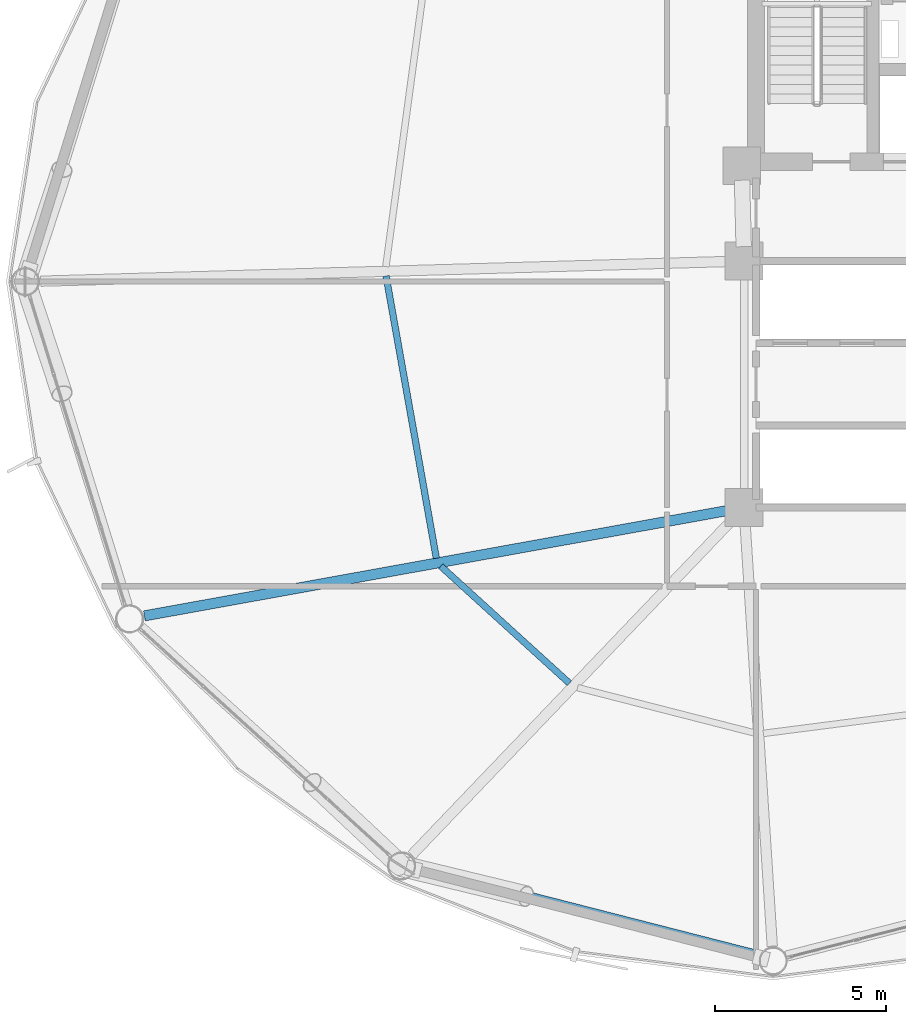
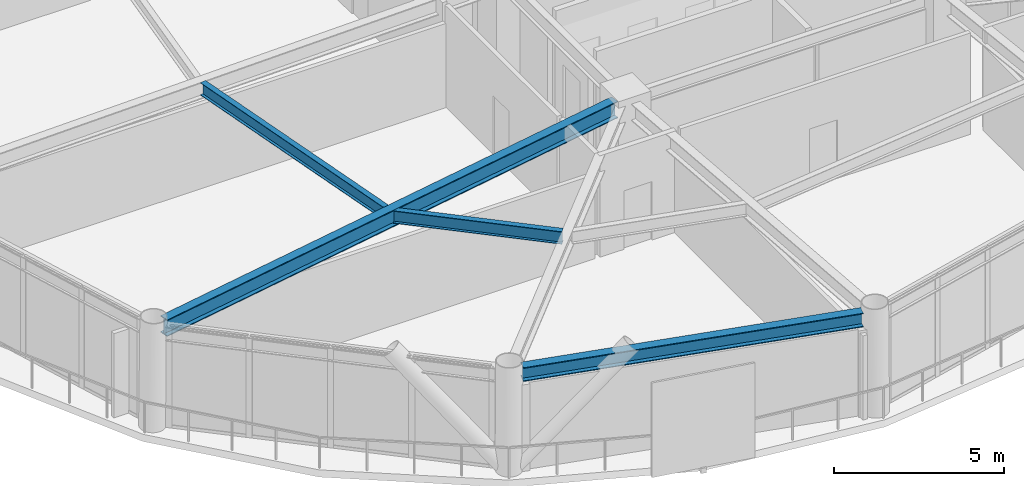
# One storey, part 4 of 26: 4 beams.
"""IFC4 building model written with IfcOpenShell, lengths in metres."""

from ifc_helpers import new_model, si_unit, direction, frame, origin, origin_2d, place, context, subcontext, project, spatial, i_section, extrude, material, material_profile, profile_set, type_object, element, save


model = new_model("IFC4")

# Units and contexts
model_context = context("Model", 3, precision=1e-05, world=origin(), true_north=direction((0.0, 1.0)))
body_context = subcontext(model_context, "Body", "Model", "MODEL_VIEW")
ifc_project = project(units=[si_unit("LENGTHUNIT", "METRE"), si_unit("AREAUNIT", "SQUARE_METRE"), si_unit("VOLUMEUNIT", "CUBIC_METRE"), si_unit("PLANEANGLEUNIT", "RADIAN"), si_unit("MASSUNIT", "GRAM", prefix="KILO")], contexts=[model_context])

# Site, building, storey
site_placement = place(None, origin())
site = spatial("IfcSite", under=ifc_project, at=site_placement, CompositionType="ELEMENT")
building_placement = place(site_placement, origin())
building = spatial("IfcBuilding", under=site, at=building_placement, Name="Varnakorn Sky Granary", CompositionType="ELEMENT")
storey_placement = place(building_placement, frame((0.0, 0.0, 87.60009765625)))
storey = spatial("IfcBuildingStorey", under=building, at=storey_placement, Name="L21", CompositionType="ELEMENT", Elevation=87.60009765625)

# Beams
ifc_material = material(Name="Steel S355JR", Category="steel")
ifc_material_profile_1 = material_profile(ifc_material, i_section(OverallWidth=0.300048828125, OverallDepth=0.60009765625, WebThickness=0.015380859375, FlangeThickness=0.030029296875, at=origin_2d()), Name="HE 600 B")
ifc_profile_set_1 = profile_set([ifc_material_profile_1], Name="Steel S355JR")
beam_type_1 = type_object("IfcBeamType", Name="BM-RAD-Z2", PredefinedType="BEAM", material=ifc_profile_set_1)
beam_1_placement = place(storey_placement, frame((-2.76318359375, -6.6748046875, 3.33984375), z_axis=(-0.984070044311, -0.177781179798, 0.0), x_axis=(0.177781179798, -0.984070044311, 0.0)))
element("IfcBeam", 1, at=beam_1_placement, inside=storey, type_object=beam_type_1, Name="Radial Floor Girder RG08 L21", PredefinedType="BEAM", context=body_context, shape_type="SweptSolid", body=[
    extrude(i_section(OverallWidth=0.300048828125, OverallDepth=0.60009765625, WebThickness=0.015380859375, FlangeThickness=0.030029296875, at=origin_2d()), origin(), (0.0, 0.0, 1.0), 17.3759765625),
])
ifc_material_profile_2 = material_profile(ifc_material, i_section(OverallWidth=0.18994140625, OverallDepth=0.449951171875, WebThickness=0.009521484375, FlangeThickness=0.0146484375, at=origin_2d()), Name="IPE 450")
ifc_profile_set_2 = profile_set([ifc_material_profile_2], Name="Steel S355JR")
beam_type_2 = type_object("IfcBeamType", Name="BM-SEC-Z2", PredefinedType="BEAM", material=ifc_profile_set_2)
beam_2_placement = place(storey_placement, frame((-12.80615234375, 0.161865234375, 3.414794921875), z_axis=(0.175410175158, -0.984495439528, 0.0), x_axis=(0.984495439528, 0.175410175158, 0.0)))
element("IfcBeam", 2, at=beam_2_placement, inside=storey, type_object=beam_type_2, Name="Secondary Floor Chord Beam MSB07 L21", PredefinedType="BEAM", context=body_context, shape_type="SweptSolid", body=[
    extrude(i_section(OverallWidth=0.18994140625, OverallDepth=0.449951171875, WebThickness=0.009521484375, FlangeThickness=0.0146484375, at=origin_2d()), origin(), (0.0, 0.0, 1.0), 8.373291015625),
])
beam_3_placement = place(storey_placement, frame((-11.209228515625, -8.3134765625, 3.414794921875), z_axis=(0.739781334846, -0.67284736502, 0.0), x_axis=(0.67284736502, 0.739781334846, 0.0)))
element("IfcBeam", 3, at=beam_3_placement, inside=storey, type_object=beam_type_2, Name="Secondary Floor Chord Beam MSB08 L21", PredefinedType="BEAM", context=body_context, shape_type="SweptSolid", body=[
    extrude(i_section(OverallWidth=0.18994140625, OverallDepth=0.449951171875, WebThickness=0.009521484375, FlangeThickness=0.0146484375, at=origin_2d()), origin(), (0.0, 0.0, 1.0), 5.0810546875),
])
ifc_material_profile_3 = material_profile(ifc_material, i_section(OverallWidth=0.300048828125, OverallDepth=0.5, WebThickness=0.014404296875, FlangeThickness=0.028076171875, at=origin_2d()), Name="HE 500 B")
ifc_profile_set_3 = profile_set([ifc_material_profile_3], Name="Steel S355JR")
beam_type_3 = type_object("IfcBeamType", Name="BM-SPD-Z2", PredefinedType="SPANDREL", material=ifc_profile_set_3)
beam_4_placement = place(storey_placement, frame((-11.944580078125, -17.129150390625, 3.389892578125), z_axis=(0.968782625978, -0.247911725424, 0.0), x_axis=(0.247911725424, 0.968782625978, 0.0)))
element("IfcBeam", 4, at=beam_4_placement, inside=storey, type_object=beam_type_3, Name="Perimeter Spandrel Ring Beam RB09 L21", PredefinedType="SPANDREL", context=body_context, shape_type="SweptSolid", body=[
    extrude(i_section(OverallWidth=0.300048828125, OverallDepth=0.5, WebThickness=0.014404296875, FlangeThickness=0.028076171875, at=origin_2d()), origin(), (0.0, 0.0, 1.0), 10.389404296875),
])

save(model, "model.ifc")
